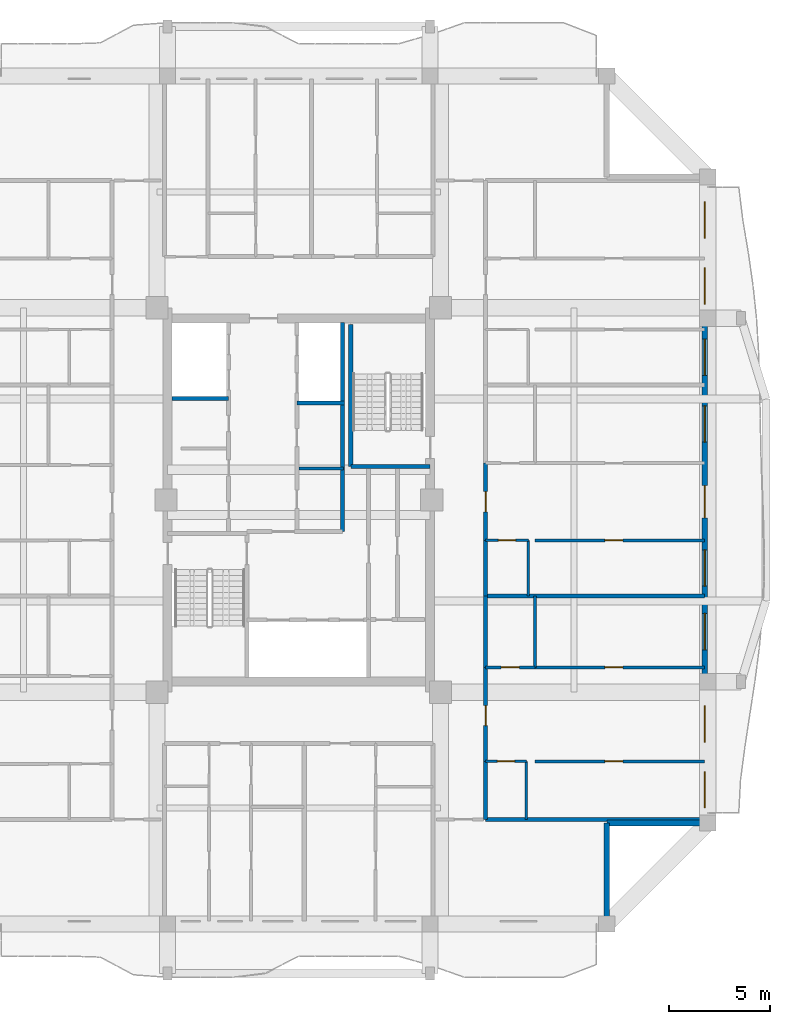
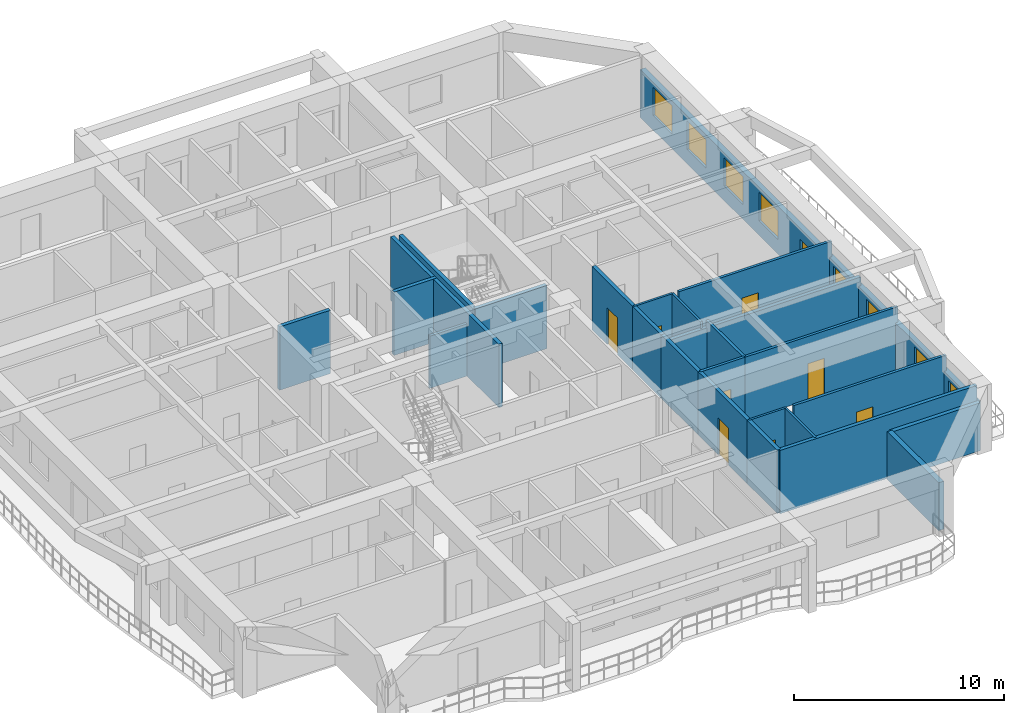
# One storey, part 5 of 14: 26 walls, 9 doors, 8 windows, 17 openings.
"""IFC4 building model written with IfcOpenShell, lengths in metres."""

from ifc_helpers import new_model, si_unit, direction, frame, frame_2d, origin, place, context, subcontext, project, spatial, rectangle, extrude, source, transform, mapped, material, layer, layer_set, type_object, element, fill, save


model = new_model("IFC4")

# Units and contexts
model_context = context("Model", 3, precision=1e-05, world=origin(), true_north=direction((0.0, 1.0)))
body_context = subcontext(model_context, "Body", "Model", "MODEL_VIEW")
ifc_project = project(units=[si_unit("LENGTHUNIT", "METRE"), si_unit("AREAUNIT", "SQUARE_METRE"), si_unit("VOLUMEUNIT", "CUBIC_METRE"), si_unit("PLANEANGLEUNIT", "RADIAN"), si_unit("MASSUNIT", "GRAM", prefix="KILO")], contexts=[model_context])

# Site, building, storey
site_placement = place(None, origin())
site = spatial("IfcSite", under=ifc_project, at=site_placement, CompositionType="ELEMENT")
building_placement = place(site_placement, origin())
building = spatial("IfcBuilding", under=site, at=building_placement, Name="Saelheon Loggia Tower", CompositionType="ELEMENT")
storey_placement = place(building_placement, frame((0.0, 0.0, 182.800048828125)))
storey = spatial("IfcBuildingStorey", under=building, at=storey_placement, Name="L57", CompositionType="ELEMENT", Elevation=182.800048828125)

# Wall, openings, windows, door
ifc_material_1 = material(Name="Architectural Precast Concrete C40/50", Category="concrete")
ifc_layer_1 = layer(ifc_material_1, 0.280029296875)
ifc_layer_set_1 = layer_set([ifc_layer_1], Name="Architectural Precast Concrete C40/50")
wall_type_1 = type_object("IfcWallType", Name="Wall_Ext_Loggia_280", PredefinedType="SOLIDWALL", material=ifc_layer_set_1)
wall_1_placement = place(storey_placement, frame((58.110107421875, 11.0, 0.0), z_axis=(0.0, 0.0, 1.0), x_axis=(0.0, 1.0, 0.0)))
wall_1 = element("IfcWall", 1, at=wall_1_placement, inside=storey, type_object=wall_type_1, Name="L57 East Loggia Inner Wall", PredefinedType="SOLIDWALL", context=body_context, shape_type="SweptSolid", body=[
    extrude(rectangle(XDim=32.0, YDim=0.280029296875, at=frame_2d((16.0, 0.0))), origin(), (0.0, 0.0, 1.0), 2.7900390625),
])
opening_1_placement = place(wall_1_placement, frame((0.74951171875, 0.0, 0.85009765625)))
opening_1 = element("IfcOpeningElement", 2, at=opening_1_placement, cuts=wall_1, Name="Opening WN-01", PredefinedType="OPENING", context=body_context, shape_type="SweptSolid", body=[
    extrude(rectangle(XDim=1.800048828125, YDim=1.64990234375, at=frame_2d((0.89990234375, 0.824951171875))), frame((0.0, 0.152099609375, 0.0), z_axis=(0.0, -1.0, 0.0), x_axis=(1.0, 0.0, 0.0)), (0.0, 0.0, 1.0), 0.303955078125),
])
opening_2_placement = place(wall_1_placement, frame((4.009521484375, 0.0, 0.85009765625)))
opening_2 = element("IfcOpeningElement", 3, at=opening_2_placement, cuts=wall_1, Name="Opening WN-01", PredefinedType="OPENING", context=body_context, shape_type="SweptSolid", body=[
    extrude(rectangle(XDim=1.800048828125, YDim=1.64990234375, at=frame_2d((0.89990234375, 0.824951171875))), frame((0.0, 0.152099609375, 0.0), z_axis=(0.0, -1.0, 0.0), x_axis=(1.0, 0.0, 0.0)), (0.0, 0.0, 1.0), 0.303955078125),
])
opening_3_placement = place(wall_1_placement, frame((8.582275390625, 0.0, 0.85009765625)))
opening_3 = element("IfcOpeningElement", 4, at=opening_3_placement, cuts=wall_1, Name="Opening WN-01", PredefinedType="OPENING", context=body_context, shape_type="SweptSolid", body=[
    extrude(rectangle(XDim=1.800048828125, YDim=1.64990234375, at=frame_2d((0.89990234375, 0.824951171875))), frame((0.0, 0.152099609375, 0.0), z_axis=(0.0, -1.0, 0.0), x_axis=(1.0, 0.0, 0.0)), (0.0, 0.0, 1.0), 0.303955078125),
])
opening_4_placement = place(wall_1_placement, frame((11.72900390625, 0.0, 0.85009765625)))
opening_4 = element("IfcOpeningElement", 5, at=opening_4_placement, cuts=wall_1, Name="Opening WN-01", PredefinedType="OPENING", context=body_context, shape_type="SweptSolid", body=[
    extrude(rectangle(XDim=1.800048828125, YDim=1.64990234375, at=frame_2d((0.89990234375, 0.824951171875))), frame((0.0, 0.152099609375, 0.0), z_axis=(0.0, -1.0, 0.0), x_axis=(1.0, 0.0, 0.0)), (0.0, 0.0, 1.0), 0.303955078125),
])
opening_5_placement = place(wall_1_placement, frame((16.717529296875, 0.0, 0.0), z_axis=(0.0, 0.0, 1.0), x_axis=(-1.0, 0.0, 0.0)))
opening_5 = element("IfcOpeningElement", 6, at=opening_5_placement, cuts=wall_1, Name="Opening DLG-1", PredefinedType="OPENING", context=body_context, shape_type="SweptSolid", body=[
    extrude(rectangle(XDim=1.60009765625, YDim=2.14990234375, at=frame_2d((0.800048828125, 1.074951171875))), frame((0.0, 0.152099609375, 0.0), z_axis=(0.0, -1.0, 0.0), x_axis=(1.0, 0.0, 0.0)), (0.0, 0.0, 1.0), 0.303955078125),
])
opening_6_placement = place(wall_1_placement, frame((18.863037109375, 0.0, 0.85009765625)))
opening_6 = element("IfcOpeningElement", 7, at=opening_6_placement, cuts=wall_1, Name="Opening WN-01", PredefinedType="OPENING", context=body_context, shape_type="SweptSolid", body=[
    extrude(rectangle(XDim=1.800048828125, YDim=1.64990234375, at=frame_2d((0.89990234375, 0.824951171875))), frame((0.0, 0.152099609375, 0.0), z_axis=(0.0, -1.0, 0.0), x_axis=(1.0, 0.0, 0.0)), (0.0, 0.0, 1.0), 0.303955078125),
])
opening_7_placement = place(wall_1_placement, frame((22.170166015625, 0.0, 0.85009765625)))
opening_7 = element("IfcOpeningElement", 8, at=opening_7_placement, cuts=wall_1, Name="Opening WN-01", PredefinedType="OPENING", context=body_context, shape_type="SweptSolid", body=[
    extrude(rectangle(XDim=1.800048828125, YDim=1.64990234375, at=frame_2d((0.89990234375, 0.824951171875))), frame((0.0, 0.152099609375, 0.0), z_axis=(0.0, -1.0, 0.0), x_axis=(1.0, 0.0, 0.0)), (0.0, 0.0, 1.0), 0.303955078125),
])
opening_8_placement = place(wall_1_placement, frame((25.706298828125, 0.0, 0.85009765625)))
opening_8 = element("IfcOpeningElement", 9, at=opening_8_placement, cuts=wall_1, Name="Opening WN-01", PredefinedType="OPENING", context=body_context, shape_type="SweptSolid", body=[
    extrude(rectangle(XDim=1.800048828125, YDim=1.64990234375, at=frame_2d((0.89990234375, 0.824951171875))), frame((0.0, 0.152099609375, 0.0), z_axis=(0.0, -1.0, 0.0), x_axis=(1.0, 0.0, 0.0)), (0.0, 0.0, 1.0), 0.303955078125),
])
opening_9_placement = place(wall_1_placement, frame((28.96630859375, 0.0, 0.85009765625)))
opening_9 = element("IfcOpeningElement", 10, at=opening_9_placement, cuts=wall_1, Name="Opening WN-01", PredefinedType="OPENING", context=body_context, shape_type="SweptSolid", body=[
    extrude(rectangle(XDim=1.800048828125, YDim=1.64990234375, at=frame_2d((0.89990234375, 0.824951171875))), frame((0.0, 0.152099609375, 0.0), z_axis=(0.0, -1.0, 0.0), x_axis=(1.0, 0.0, 0.0)), (0.0, 0.0, 1.0), 0.303955078125),
])
ifc_material_2 = material(Name="Thermal-Break Aluminium and Triple Low-E Glass", Category="aluminium")
window_type = type_object("IfcWindowType", Name="Win_Dwelling_1800x1650", PartitioningType="SINGLE_PANEL", PredefinedType="WINDOW", material=ifc_material_2)
shared_shape_1 = source(origin(), body_context, "Body", "SweptSolid", [
    extrude(rectangle(XDim=1.800048828125, YDim=1.64990234375, at=frame_2d((0.89990234375, 0.824951171875))), frame((0.0, 0.030029296875, 0.0), z_axis=(0.0, -1.0, 0.0), x_axis=(1.0, 0.0, 0.0)), (0.0, 0.0, 1.0), 0.06005859375),
])
window_1_placement = place(opening_1_placement, origin())
window_1 = element("IfcWindow", 11, at=window_1_placement, inside=storey, type_object=window_type, Name="L57 E Dwelling Window 1", OverallHeight=1.64990234375, OverallWidth=1.800048828125, PartitioningType="SINGLE_PANEL", PredefinedType="WINDOW", context=body_context, shape_type="MappedRepresentation", body=[
    mapped(shared_shape_1, transform((0.0, 0.0, 0.0), scale=1.0)),
])
fill(opening_1, window_1)
window_2_placement = place(opening_2_placement, origin())
window_2 = element("IfcWindow", 12, at=window_2_placement, inside=storey, type_object=window_type, Name="L57 E Dwelling Window 2", OverallHeight=1.64990234375, OverallWidth=1.800048828125, PartitioningType="SINGLE_PANEL", PredefinedType="WINDOW", context=body_context, shape_type="MappedRepresentation", body=[
    mapped(shared_shape_1, transform((0.0, 0.0, 0.0), scale=1.0)),
])
fill(opening_2, window_2)
window_3_placement = place(opening_3_placement, origin())
window_3 = element("IfcWindow", 13, at=window_3_placement, inside=storey, type_object=window_type, Name="L57 E Dwelling Window 3", OverallHeight=1.64990234375, OverallWidth=1.800048828125, PartitioningType="SINGLE_PANEL", PredefinedType="WINDOW", context=body_context, shape_type="MappedRepresentation", body=[
    mapped(shared_shape_1, transform((0.0, 0.0, 0.0), scale=1.0)),
])
fill(opening_3, window_3)
window_4_placement = place(opening_4_placement, origin())
window_4 = element("IfcWindow", 14, at=window_4_placement, inside=storey, type_object=window_type, Name="L57 E Dwelling Window 4", OverallHeight=1.64990234375, OverallWidth=1.800048828125, PartitioningType="SINGLE_PANEL", PredefinedType="WINDOW", context=body_context, shape_type="MappedRepresentation", body=[
    mapped(shared_shape_1, transform((0.0, 0.0, 0.0), scale=1.0)),
])
fill(opening_4, window_4)
window_5_placement = place(opening_6_placement, origin())
window_5 = element("IfcWindow", 15, at=window_5_placement, inside=storey, type_object=window_type, Name="L57 E Dwelling Window 6", OverallHeight=1.64990234375, OverallWidth=1.800048828125, PartitioningType="SINGLE_PANEL", PredefinedType="WINDOW", context=body_context, shape_type="MappedRepresentation", body=[
    mapped(shared_shape_1, transform((0.0, 0.0, 0.0), scale=1.0)),
])
fill(opening_6, window_5)
window_6_placement = place(opening_7_placement, origin())
window_6 = element("IfcWindow", 16, at=window_6_placement, inside=storey, type_object=window_type, Name="L57 E Dwelling Window 7", OverallHeight=1.64990234375, OverallWidth=1.800048828125, PartitioningType="SINGLE_PANEL", PredefinedType="WINDOW", context=body_context, shape_type="MappedRepresentation", body=[
    mapped(shared_shape_1, transform((0.0, 0.0, 0.0), scale=1.0)),
])
fill(opening_7, window_6)
window_7_placement = place(opening_8_placement, origin())
window_7 = element("IfcWindow", 17, at=window_7_placement, inside=storey, type_object=window_type, Name="L57 E Dwelling Window 8", OverallHeight=1.64990234375, OverallWidth=1.800048828125, PartitioningType="SINGLE_PANEL", PredefinedType="WINDOW", context=body_context, shape_type="MappedRepresentation", body=[
    mapped(shared_shape_1, transform((0.0, 0.0, 0.0), scale=1.0)),
])
fill(opening_8, window_7)
window_8_placement = place(opening_9_placement, origin())
window_8 = element("IfcWindow", 18, at=window_8_placement, inside=storey, type_object=window_type, Name="L57 E Dwelling Window 9", OverallHeight=1.64990234375, OverallWidth=1.800048828125, PartitioningType="SINGLE_PANEL", PredefinedType="WINDOW", context=body_context, shape_type="MappedRepresentation", body=[
    mapped(shared_shape_1, transform((0.0, 0.0, 0.0), scale=1.0)),
])
fill(opening_9, window_8)
ifc_material_3 = material(Name="Thermal-Break Aluminium Sliding Glazed Door", Category="aluminium")
door_type_1 = type_object("IfcDoorType", Name="Door_LoggiaSlide_1600", OperationType="SLIDING_TO_LEFT", PredefinedType="DOOR", material=ifc_material_3)
shared_shape_2 = source(origin(), body_context, "Body", "SweptSolid", [
    extrude(rectangle(XDim=1.60009765625, YDim=2.14990234375, at=frame_2d((0.800048828125, 1.074951171875))), frame((0.0, 0.02490234375, 0.0), z_axis=(0.0, -1.0, 0.0), x_axis=(1.0, 0.0, 0.0)), (0.0, 0.0, 1.0), 0.050048828125),
])
door_1_placement = place(opening_5_placement, origin())
door_1 = element("IfcDoor", 19, at=door_1_placement, inside=storey, type_object=door_type_1, Name="L57 E Loggia Access Door", OperationType="SLIDING_TO_LEFT", OverallHeight=2.14990234375, OverallWidth=1.60009765625, PredefinedType="DOOR", context=body_context, shape_type="MappedRepresentation", body=[
    mapped(shared_shape_2, transform((0.0, 0.0, 0.0), scale=1.0)),
])
fill(opening_5, door_1)

# Walls
for number, where, z_axis, x_axis, name in (
    (20, (53.25, 6.080078125, 0.0), (0.0, 0.0, 1.0), (0.0, 1.0, 0.0), "L57 Corner Notch Precast Wall SE1"),
    (21, (53.25, 11.0, 0.0), (0.0, 0.0, 1.0), (1.0, 0.0, 0.0), "L57 Corner Notch Precast Wall SE2"),
):
    element("IfcWall", number, at=place(storey_placement, frame(where, z_axis=z_axis, x_axis=x_axis)), inside=storey, type_object=wall_type_1, Name=name, PredefinedType="SOLIDWALL", context=body_context, shape_type="SweptSolid", body=[
        extrude(rectangle(XDim=4.919921875, YDim=0.280029296875, at=frame_2d((2.4599609375, 0.0))), origin(), (0.0, 0.0, 1.0), 2.7900390625),
    ])
ifc_material_4 = material(Name="Lightweight Autoclaved Aerated Concrete Block and Acoustic Gypsum", Category="concrete")
ifc_layer_2 = layer(ifc_material_4, 0.14990234375)
ifc_layer_set_2 = layer_set([ifc_layer_2], Name="Lightweight Autoclaved Aerated Concrete Block and Acoustic Gypsum")
wall_type_2 = type_object("IfcWallType", Name="Wall_Part_150", PredefinedType="PARTITIONING", material=ifc_layer_set_2)
wall_2_placement = place(storey_placement, frame((38.0, 28.550048828125, 0.0), z_axis=(0.0, 0.0, 1.0), x_axis=(1.0, 0.0, 0.0)))
element("IfcWall", 22, at=wall_2_placement, inside=storey, type_object=wall_type_2, Name="L57 Freed Core Partition PM", PredefinedType="PARTITIONING", context=body_context, shape_type="SweptSolid", body=[
    extrude(rectangle(XDim=2.199951171875, YDim=0.14990234375, at=frame_2d((1.10009765625, 0.0))), origin(), (0.0, 0.0, 1.0), 3.0400390625),
])
wall_3_placement = place(storey_placement, frame((49.68994140625, 18.710205078125, 0.0), z_axis=(0.0, 0.0, 1.0), x_axis=(0.0, 1.0, 0.0)))
element("IfcWall", 23, at=wall_3_placement, inside=storey, type_object=wall_type_2, Name="L57 E Partition V07", PredefinedType="PARTITIONING", context=body_context, shape_type="SweptSolid", body=[
    extrude(rectangle(XDim=3.543701171875, YDim=0.14990234375, at=frame_2d((1.77197265625, 0.0))), origin(), (0.0, 0.0, 1.0), 3.68994140625),
])

# Wall, opening, door
wall_4_placement = place(storey_placement, frame((49.68994140625, 14.05908203125, 0.0), z_axis=(0.0, 0.0, 1.0), x_axis=(1.0, 0.0, 0.0)))
wall_4 = element("IfcWall", 24, at=wall_4_placement, inside=storey, type_object=wall_type_2, Name="L57 E Partition U09", PredefinedType="PARTITIONING", context=body_context, shape_type="SweptSolid", body=[
    extrude(rectangle(XDim=8.41015625, YDim=0.14990234375, at=frame_2d((4.205078125, 0.0))), origin(), (0.0, 0.0, 1.0), 3.68994140625),
])
opening_10_placement = place(wall_4_placement, frame((3.462158203125, 0.0, 0.0)))
opening_10 = element("IfcOpeningElement", 25, at=opening_10_placement, cuts=wall_4, Name="Opening D-IN2", PredefinedType="OPENING", context=body_context, shape_type="SweptSolid", body=[
    extrude(rectangle(XDim=0.89990234375, YDim=2.10009765625, at=frame_2d((0.449951171875, 1.050048828125))), frame((0.0, 0.0869140625, 0.0), z_axis=(0.0, -1.0, 0.0), x_axis=(1.0, 0.0, 0.0)), (0.0, 0.0, 1.0), 0.173828125),
])
ifc_material_5 = material(Name="Engineered Oak Flush Door", Category="timber")
door_type_2 = type_object("IfcDoorType", Name="Door_Int_900", OperationType="NOTDEFINED", PredefinedType="DOOR", material=ifc_material_5)
shared_shape_3 = source(origin(), body_context, "Body", "SweptSolid", [
    extrude(rectangle(XDim=0.89990234375, YDim=2.10009765625, at=frame_2d((0.449951171875, 1.050048828125))), frame((0.0, 0.02490234375, 0.0), z_axis=(0.0, -1.0, 0.0), x_axis=(1.0, 0.0, 0.0)), (0.0, 0.0, 1.0), 0.050048828125),
])
door_2_placement = place(opening_10_placement, origin())
door_2 = element("IfcDoor", 26, at=door_2_placement, inside=storey, type_object=door_type_2, Name="Unit U08 Bedroom 2 Door", OperationType="SINGLE_SWING_LEFT", OverallHeight=2.10009765625, OverallWidth=0.89990234375, PredefinedType="DOOR", context=body_context, shape_type="MappedRepresentation", body=[
    mapped(shared_shape_3, transform((0.0, 0.0, 0.0), scale=1.0)),
])
fill(opening_10, door_2)

wall_5_placement = place(storey_placement, frame((47.25, 18.710205078125, 0.0), z_axis=(0.0, 0.0, 1.0), x_axis=(1.0, 0.0, 0.0)))
wall_5 = element("IfcWall", 27, at=wall_5_placement, inside=storey, type_object=wall_type_2, Name="L57 E Partition U10", PredefinedType="PARTITIONING", context=body_context, shape_type="SweptSolid", body=[
    extrude(rectangle(XDim=2.43994140625, YDim=0.14990234375, at=frame_2d((1.219970703125, 0.0))), origin(), (0.0, 0.0, 1.0), 3.68994140625),
])
opening_11_placement = place(wall_5_placement, frame((0.77001953125, 0.0, 0.0)))
opening_11 = element("IfcOpeningElement", 28, at=opening_11_placement, cuts=wall_5, Name="Opening D-IN2", PredefinedType="OPENING", context=body_context, shape_type="SweptSolid", body=[
    extrude(rectangle(XDim=0.89990234375, YDim=2.10009765625, at=frame_2d((0.449951171875, 1.050048828125))), frame((0.0, 0.0869140625, 0.0), z_axis=(0.0, -1.0, 0.0), x_axis=(1.0, 0.0, 0.0)), (0.0, 0.0, 1.0), 0.173828125),
])
door_3_placement = place(opening_11_placement, origin())
door_3 = element("IfcDoor", 29, at=door_3_placement, inside=storey, type_object=door_type_2, Name="Unit U08 Kitchen Door", OperationType="SINGLE_SWING_RIGHT", OverallHeight=2.10009765625, OverallWidth=0.89990234375, PredefinedType="DOOR", context=body_context, shape_type="MappedRepresentation", body=[
    mapped(shared_shape_3, transform((0.0, 0.0, 0.0), scale=1.0)),
])
fill(opening_11, door_3)

wall_6_placement = place(storey_placement, frame((49.68994140625, 18.710205078125, 0.0), z_axis=(0.0, 0.0, 1.0), x_axis=(1.0, 0.0, 0.0)))
wall_6 = element("IfcWall", 30, at=wall_6_placement, inside=storey, type_object=wall_type_2, Name="L57 E Partition U11", PredefinedType="PARTITIONING", context=body_context, shape_type="SweptSolid", body=[
    extrude(rectangle(XDim=8.41015625, YDim=0.14990234375, at=frame_2d((4.205078125, 0.0))), origin(), (0.0, 0.0, 1.0), 3.68994140625),
])
opening_12_placement = place(wall_6_placement, frame((3.462158203125, 0.0, 0.0)))
opening_12 = element("IfcOpeningElement", 31, at=opening_12_placement, cuts=wall_6, Name="Opening D-IN2", PredefinedType="OPENING", context=body_context, shape_type="SweptSolid", body=[
    extrude(rectangle(XDim=0.89990234375, YDim=2.10009765625, at=frame_2d((0.449951171875, 1.050048828125))), frame((0.0, 0.0869140625, 0.0), z_axis=(0.0, -1.0, 0.0), x_axis=(1.0, 0.0, 0.0)), (0.0, 0.0, 1.0), 0.173828125),
])
door_4_placement = place(opening_12_placement, origin())
door_4 = element("IfcDoor", 32, at=door_4_placement, inside=storey, type_object=door_type_2, Name="Unit U08 Bedroom 1 Door", OperationType="SINGLE_SWING_LEFT", OverallHeight=2.10009765625, OverallWidth=0.89990234375, PredefinedType="DOOR", context=body_context, shape_type="MappedRepresentation", body=[
    mapped(shared_shape_3, transform((0.0, 0.0, 0.0), scale=1.0)),
])
fill(opening_12, door_4)

wall_7_placement = place(storey_placement, frame((49.68994140625, 25.00390625, 0.0), z_axis=(0.0, 0.0, 1.0), x_axis=(1.0, 0.0, 0.0)))
wall_7 = element("IfcWall", 33, at=wall_7_placement, inside=storey, type_object=wall_type_2, Name="L57 E Partition U19", PredefinedType="PARTITIONING", context=body_context, shape_type="SweptSolid", body=[
    extrude(rectangle(XDim=8.41015625, YDim=0.14990234375, at=frame_2d((4.205078125, 0.0))), origin(), (0.0, 0.0, 1.0), 3.68994140625),
])
opening_13_placement = place(wall_7_placement, frame((3.462158203125, 0.0, 0.0)))
opening_13 = element("IfcOpeningElement", 34, at=opening_13_placement, cuts=wall_7, Name="Opening D-IN2", PredefinedType="OPENING", context=body_context, shape_type="SweptSolid", body=[
    extrude(rectangle(XDim=0.89990234375, YDim=2.10009765625, at=frame_2d((0.449951171875, 1.050048828125))), frame((0.0, 0.0869140625, 0.0), z_axis=(0.0, -1.0, 0.0), x_axis=(1.0, 0.0, 0.0)), (0.0, 0.0, 1.0), 0.173828125),
])
door_5_placement = place(opening_13_placement, origin())
door_5 = element("IfcDoor", 35, at=door_5_placement, inside=storey, type_object=door_type_2, Name="Unit U09 Kitchen Door", OperationType="SINGLE_SWING_RIGHT", OverallHeight=2.10009765625, OverallWidth=0.89990234375, PredefinedType="DOOR", context=body_context, shape_type="MappedRepresentation", body=[
    mapped(shared_shape_3, transform((0.0, 0.0, 0.0), scale=1.0)),
])
fill(opening_13, door_5)

# Walls
ifc_material_6 = material(Name="Double Acoustic Stud and Fireboard Partition", Category="gypsum")
ifc_layer_3 = layer(ifc_material_6, 0.199951171875)
ifc_layer_set_3 = layer_set([ifc_layer_3], Name="Double Acoustic Stud and Fireboard Partition")
wall_type_3 = type_object("IfcWallType", Name="Wall_Party_200", PredefinedType="PARTITIONING", material=ifc_layer_set_3)
wall_8_placement = place(storey_placement, frame((47.25, 11.179931640625, 0.0), z_axis=(0.0, 0.0, 1.0), x_axis=(1.0, 0.0, 0.0)))
element("IfcWall", 36, at=wall_8_placement, inside=storey, type_object=wall_type_3, Name="L57 E Partition U01", PredefinedType="PARTITIONING", context=body_context, shape_type="SweptSolid", body=[
    extrude(rectangle(XDim=10.85009765625, YDim=0.199951171875, at=frame_2d((5.425048828125, 0.0))), origin(), (0.0, 0.0, 1.0), 3.68994140625),
])
wall_9_placement = place(storey_placement, frame((47.25, 11.179931640625, 0.0), z_axis=(0.0, 0.0, 1.0), x_axis=(0.0, 1.0, 0.0)))
element("IfcWall", 37, at=wall_9_placement, inside=storey, type_object=wall_type_3, Name="L57 E Partition V03", PredefinedType="PARTITIONING", context=body_context, shape_type="SweptSolid", body=[
    extrude(rectangle(XDim=2.879150390625, YDim=0.199951171875, at=frame_2d((1.439453125, 0.0))), origin(), (0.0, 0.0, 1.0), 3.68994140625),
])

# Wall, opening, door
wall_10_placement = place(storey_placement, frame((47.25, 14.05908203125, 0.0), z_axis=(0.0, 0.0, 1.0), x_axis=(0.0, 1.0, 0.0)))
wall_10 = element("IfcWall", 38, at=wall_10_placement, inside=storey, type_object=wall_type_3, Name="L57 E Partition V04", PredefinedType="PARTITIONING", context=body_context, shape_type="SweptSolid", body=[
    extrude(rectangle(XDim=4.651123046875, YDim=0.199951171875, at=frame_2d((2.32568359375, 0.0))), origin(), (0.0, 0.0, 1.0), 3.68994140625),
])
opening_14_placement = place(wall_10_placement, frame((1.76025390625, 0.0, 0.0)))
opening_14 = element("IfcOpeningElement", 39, at=opening_14_placement, cuts=wall_10, Name="Opening D-FD1", PredefinedType="OPENING", context=body_context, shape_type="SweptSolid", body=[
    extrude(rectangle(XDim=1.0, YDim=2.14990234375, at=frame_2d((0.5, 1.074951171875))), frame((0.0, 0.112060546875, 0.0), z_axis=(0.0, -1.0, 0.0), x_axis=(1.0, 0.0, 0.0)), (0.0, 0.0, 1.0), 0.223876953125),
])
ifc_material_7 = material(Name="Fire-Rated Engineered Timber Entrance Door", Category="wood")
door_type_3 = type_object("IfcDoorType", Name="Door_Flat_FD30S", OperationType="NOTDEFINED", PredefinedType="DOOR", material=ifc_material_7)
shared_shape_4 = source(origin(), body_context, "Body", "SweptSolid", [
    extrude(rectangle(XDim=1.0, YDim=2.14990234375, at=frame_2d((0.5, 1.074951171875))), frame((0.0, 0.02490234375, 0.0), z_axis=(0.0, -1.0, 0.0), x_axis=(1.0, 0.0, 0.0)), (0.0, 0.0, 1.0), 0.050048828125),
])
door_6_placement = place(opening_14_placement, origin())
door_6 = element("IfcDoor", 40, at=door_6_placement, inside=storey, type_object=door_type_3, Name="Unit U08 Entrance Door", OperationType="SINGLE_SWING_LEFT", OverallHeight=2.14990234375, OverallWidth=1.0, PredefinedType="DOOR", context=body_context, shape_type="MappedRepresentation", body=[
    mapped(shared_shape_4, transform((0.0, 0.0, 0.0), scale=1.0)),
])
fill(opening_14, door_6)

# Walls
wall_11_placement = place(storey_placement, frame((47.25, 18.710205078125, 0.0), z_axis=(0.0, 0.0, 1.0), x_axis=(0.0, 1.0, 0.0)))
element("IfcWall", 41, at=wall_11_placement, inside=storey, type_object=wall_type_3, Name="L57 E Partition V05", PredefinedType="PARTITIONING", context=body_context, shape_type="SweptSolid", body=[
    extrude(rectangle(XDim=3.543701171875, YDim=0.199951171875, at=frame_2d((1.77197265625, 0.0))), origin(), (0.0, 0.0, 1.0), 3.68994140625),
])
wall_12_placement = place(storey_placement, frame((47.25, 22.25390625, 0.0), z_axis=(0.0, 0.0, 1.0), x_axis=(1.0, 0.0, 0.0)))
element("IfcWall", 42, at=wall_12_placement, inside=storey, type_object=wall_type_3, Name="L57 E Partition U12", PredefinedType="PARTITIONING", context=body_context, shape_type="SweptSolid", body=[
    extrude(rectangle(XDim=10.85009765625, YDim=0.199951171875, at=frame_2d((5.425048828125, 0.0))), origin(), (0.0, 0.0, 1.0), 3.2900390625),
])
wall_13_placement = place(storey_placement, frame((47.25, 22.25390625, 0.0), z_axis=(0.0, 0.0, 1.0), x_axis=(0.0, 1.0, 0.0)))
element("IfcWall", 43, at=wall_13_placement, inside=storey, type_object=wall_type_3, Name="L57 E Partition V13", PredefinedType="PARTITIONING", context=body_context, shape_type="SweptSolid", body=[
    extrude(rectangle(XDim=2.75, YDim=0.199951171875, at=frame_2d((1.375, 0.0))), origin(), (0.0, 0.0, 1.0), 3.68994140625),
])

# Wall, opening, door
wall_14_placement = place(storey_placement, frame((47.25, 25.00390625, 0.0), z_axis=(0.0, 0.0, 1.0), x_axis=(0.0, 1.0, 0.0)))
wall_14 = element("IfcWall", 44, at=wall_14_placement, inside=storey, type_object=wall_type_3, Name="L57 E Partition V14", PredefinedType="PARTITIONING", context=body_context, shape_type="SweptSolid", body=[
    extrude(rectangle(XDim=3.826904296875, YDim=0.199951171875, at=frame_2d((1.91357421875, 0.0))), origin(), (0.0, 0.0, 1.0), 3.68994140625),
])
opening_15_placement = place(wall_14_placement, frame((1.413330078125, 0.0, 0.0)))
opening_15 = element("IfcOpeningElement", 45, at=opening_15_placement, cuts=wall_14, Name="Opening D-FD1", PredefinedType="OPENING", context=body_context, shape_type="SweptSolid", body=[
    extrude(rectangle(XDim=1.0, YDim=2.14990234375, at=frame_2d((0.5, 1.074951171875))), frame((0.0, 0.112060546875, 0.0), z_axis=(0.0, -1.0, 0.0), x_axis=(1.0, 0.0, 0.0)), (0.0, 0.0, 1.0), 0.223876953125),
])
door_7_placement = place(opening_15_placement, origin())
door_7 = element("IfcDoor", 46, at=door_7_placement, inside=storey, type_object=door_type_3, Name="Unit U09 Entrance Door", OperationType="SINGLE_SWING_RIGHT", OverallHeight=2.14990234375, OverallWidth=1.0, PredefinedType="DOOR", context=body_context, shape_type="MappedRepresentation", body=[
    mapped(shared_shape_4, transform((0.0, 0.0, 0.0), scale=1.0)),
])
fill(opening_15, door_7)

# Walls
ifc_material_8 = material(Name="Concrete C40/50", Category="concrete")
ifc_layer_4 = layer(ifc_material_8, 0.199951171875)
ifc_layer_set_4 = layer_set([ifc_layer_4], Name="Concrete C40/50")
wall_type_4 = type_object("IfcWallType", Name="Wall_Shaft_200", PredefinedType="PARTITIONING", material=ifc_layer_set_4)
wall_15_placement = place(storey_placement, frame((40.14990234375, 25.43994140625, 0.0), z_axis=(0.0, 0.0, 1.0), x_axis=(0.0, 1.0, 0.0)))
element("IfcWall", 47, at=wall_15_placement, inside=storey, type_object=wall_type_4, Name="L57 Core Service Passage West Wall", PredefinedType="PARTITIONING", context=body_context, shape_type="SweptSolid", body=[
    extrude(rectangle(XDim=6.360107421875, YDim=0.199951171875, at=frame_2d((3.18017578125, 0.0))), origin(), (0.0, 0.0, 1.0), 3.68994140625),
])
wall_16_placement = place(storey_placement, frame((40.14990234375, 31.800048828125, 0.0), z_axis=(0.0, 0.0, 1.0), x_axis=(0.0, 1.0, 0.0)))
element("IfcWall", 48, at=wall_16_placement, inside=storey, type_object=wall_type_4, Name="L57 East High-Rise Hoistway East Wall", PredefinedType="PARTITIONING", context=body_context, shape_type="SweptSolid", body=[
    extrude(rectangle(XDim=3.97998046875, YDim=0.199951171875, at=frame_2d((1.989990234375, 0.0))), origin(), (0.0, 0.0, 1.0), 3.68994140625),
])
wall_17_placement = place(storey_placement, frame((31.719970703125, 32.02001953125, 0.0), z_axis=(0.0, 0.0, 1.0), x_axis=(1.0, 0.0, 0.0)))
element("IfcWall", 49, at=wall_17_placement, inside=storey, type_object=wall_type_4, Name="L57 West High-Rise Shaft Divider", PredefinedType="PARTITIONING", context=body_context, shape_type="SweptSolid", body=[
    extrude(rectangle(XDim=2.800048828125, YDim=0.199951171875, at=frame_2d((1.39990234375, 0.0))), origin(), (0.0, 0.0, 1.0), 3.68994140625),
])
wall_18_placement = place(storey_placement, frame((37.89990234375, 31.800048828125, 0.0), z_axis=(0.0, 0.0, 1.0), x_axis=(1.0, 0.0, 0.0)))
element("IfcWall", 50, at=wall_18_placement, inside=storey, type_object=wall_type_4, Name="L57 East High-Rise Shaft Divider", PredefinedType="PARTITIONING", context=body_context, shape_type="SweptSolid", body=[
    extrude(rectangle(XDim=2.35009765625, YDim=0.199951171875, at=frame_2d((1.175048828125, 0.0))), origin(), (0.0, 0.0, 1.0), 3.68994140625),
])
ifc_material_9 = material(Name="Concrete C45/55", Category="concrete")
ifc_layer_5 = layer(ifc_material_9, 0.199951171875)
ifc_layer_set_5 = layer_set([ifc_layer_5], Name="Concrete C45/55")
wall_type_5 = type_object("IfcWallType", Name="Wall_StairShaft_RC200", PredefinedType="SOLIDWALL", material=ifc_layer_set_5)
wall_19_placement = place(storey_placement, frame((40.570068359375, 28.64990234375, 0.0), z_axis=(0.0, 0.0, 1.0), x_axis=(0.0, 1.0, 0.0)))
element("IfcWall", 51, at=wall_19_placement, inside=storey, type_object=wall_type_5, Name="L57 Stair ST2 Shaft Wall", PredefinedType="SOLIDWALL", context=body_context, shape_type="SweptSolid", body=[
    extrude(rectangle(XDim=7.050048828125, YDim=0.199951171875, at=frame_2d((3.52490234375, 0.0))), origin(), (0.0, 0.0, 1.0), 3.68994140625),
])
wall_20_placement = place(storey_placement, frame((40.570068359375, 28.64990234375, 0.0), z_axis=(0.0, 0.0, 1.0), x_axis=(1.0, 0.0, 0.0)))
element("IfcWall", 52, at=wall_20_placement, inside=storey, type_object=wall_type_5, Name="L57 Stair ST2 South Wall", PredefinedType="SOLIDWALL", context=body_context, shape_type="SweptSolid", body=[
    extrude(rectangle(XDim=3.929931640625, YDim=0.199951171875, at=frame_2d((1.96484375, 0.0))), origin(), (0.0, 0.0, 1.0), 3.68994140625),
])
ifc_material_10 = material(Name="Moisture-Resistant Cement Board Partition", Category="gypsum")
ifc_layer_6 = layer(ifc_material_10, 0.1201171875)
ifc_layer_set_6 = layer_set([ifc_layer_6], Name="Moisture-Resistant Cement Board Partition")
wall_type_6 = type_object("IfcWallType", Name="Wall_WetPart_120", PredefinedType="PARTITIONING", material=ifc_layer_set_6)
wall_21_placement = place(storey_placement, frame((49.27001953125, 11.179931640625, 0.0), z_axis=(0.0, 0.0, 1.0), x_axis=(0.0, 1.0, 0.0)))
element("IfcWall", 53, at=wall_21_placement, inside=storey, type_object=wall_type_6, Name="L57 E Partition V06", PredefinedType="PARTITIONING", context=body_context, shape_type="SweptSolid", body=[
    extrude(rectangle(XDim=2.879150390625, YDim=0.1201171875, at=frame_2d((1.439453125, 0.0))), origin(), (0.0, 0.0, 1.0), 3.68994140625),
])

# Wall, opening, door
wall_22_placement = place(storey_placement, frame((47.25, 14.05908203125, 0.0), z_axis=(0.0, 0.0, 1.0), x_axis=(1.0, 0.0, 0.0)))
wall_22 = element("IfcWall", 54, at=wall_22_placement, inside=storey, type_object=wall_type_6, Name="L57 E Partition U08", PredefinedType="PARTITIONING", context=body_context, shape_type="SweptSolid", body=[
    extrude(rectangle(XDim=2.02001953125, YDim=0.1201171875, at=frame_2d((1.010009765625, 0.0))), origin(), (0.0, 0.0, 1.0), 3.68994140625),
])
opening_16_placement = place(wall_22_placement, frame((0.5849609375, 0.0, 0.0)))
opening_16 = element("IfcOpeningElement", 55, at=opening_16_placement, cuts=wall_22, Name="Opening D-BT1", PredefinedType="OPENING", context=body_context, shape_type="SweptSolid", body=[
    extrude(rectangle(XDim=0.85009765625, YDim=2.050048828125, at=frame_2d((0.425048828125, 1.02490234375))), frame((0.0, 0.072021484375, 0.0), z_axis=(0.0, -1.0, 0.0), x_axis=(1.0, 0.0, 0.0)), (0.0, 0.0, 1.0), 0.14404296875),
])
ifc_material_11 = material(Name="Moisture-Resistant Laminate Timber Door", Category="wood")
door_type_4 = type_object("IfcDoorType", Name="Door_Bath_850", OperationType="NOTDEFINED", PredefinedType="DOOR", material=ifc_material_11)
shared_shape_5 = source(origin(), body_context, "Body", "SweptSolid", [
    extrude(rectangle(XDim=0.85009765625, YDim=2.050048828125, at=frame_2d((0.425048828125, 1.02490234375))), frame((0.0, 0.02490234375, 0.0), z_axis=(0.0, -1.0, 0.0), x_axis=(1.0, 0.0, 0.0)), (0.0, 0.0, 1.0), 0.050048828125),
])
door_8_placement = place(opening_16_placement, origin())
door_8 = element("IfcDoor", 56, at=door_8_placement, inside=storey, type_object=door_type_4, Name="Unit U08 Bathroom Door", OperationType="SINGLE_SWING_RIGHT", OverallHeight=2.050048828125, OverallWidth=0.85009765625, PredefinedType="DOOR", context=body_context, shape_type="MappedRepresentation", body=[
    mapped(shared_shape_5, transform((0.0, 0.0, 0.0), scale=1.0)),
])
fill(opening_16, door_8)

# Wall
wall_23_placement = place(storey_placement, frame((49.3701171875, 22.25390625, 0.0), z_axis=(0.0, 0.0, 1.0), x_axis=(0.0, 1.0, 0.0)))
element("IfcWall", 57, at=wall_23_placement, inside=storey, type_object=wall_type_6, Name="L57 E Partition V16", PredefinedType="PARTITIONING", context=body_context, shape_type="SweptSolid", body=[
    extrude(rectangle(XDim=2.75, YDim=0.1201171875, at=frame_2d((1.375, 0.0))), origin(), (0.0, 0.0, 1.0), 3.68994140625),
])

# Wall, opening, door
wall_24_placement = place(storey_placement, frame((47.25, 25.00390625, 0.0), z_axis=(0.0, 0.0, 1.0), x_axis=(1.0, 0.0, 0.0)))
wall_24 = element("IfcWall", 58, at=wall_24_placement, inside=storey, type_object=wall_type_6, Name="L57 E Partition U18", PredefinedType="PARTITIONING", context=body_context, shape_type="SweptSolid", body=[
    extrude(rectangle(XDim=2.1201171875, YDim=0.1201171875, at=frame_2d((1.06005859375, 0.0))), origin(), (0.0, 0.0, 1.0), 3.68994140625),
])
opening_17_placement = place(wall_24_placement, frame((0.635009765625, 0.0, 0.0)))
opening_17 = element("IfcOpeningElement", 59, at=opening_17_placement, cuts=wall_24, Name="Opening D-BT1", PredefinedType="OPENING", context=body_context, shape_type="SweptSolid", body=[
    extrude(rectangle(XDim=0.85009765625, YDim=2.050048828125, at=frame_2d((0.425048828125, 1.02490234375))), frame((0.0, 0.072021484375, 0.0), z_axis=(0.0, -1.0, 0.0), x_axis=(1.0, 0.0, 0.0)), (0.0, 0.0, 1.0), 0.14404296875),
])
door_9_placement = place(opening_17_placement, origin())
door_9 = element("IfcDoor", 60, at=door_9_placement, inside=storey, type_object=door_type_4, Name="Unit U09 Bathroom Door", OperationType="SINGLE_SWING_LEFT", OverallHeight=2.050048828125, OverallWidth=0.85009765625, PredefinedType="DOOR", context=body_context, shape_type="MappedRepresentation", body=[
    mapped(shared_shape_5, transform((0.0, 0.0, 0.0), scale=1.0)),
])
fill(opening_17, door_9)

save(model, "model.ifc")
